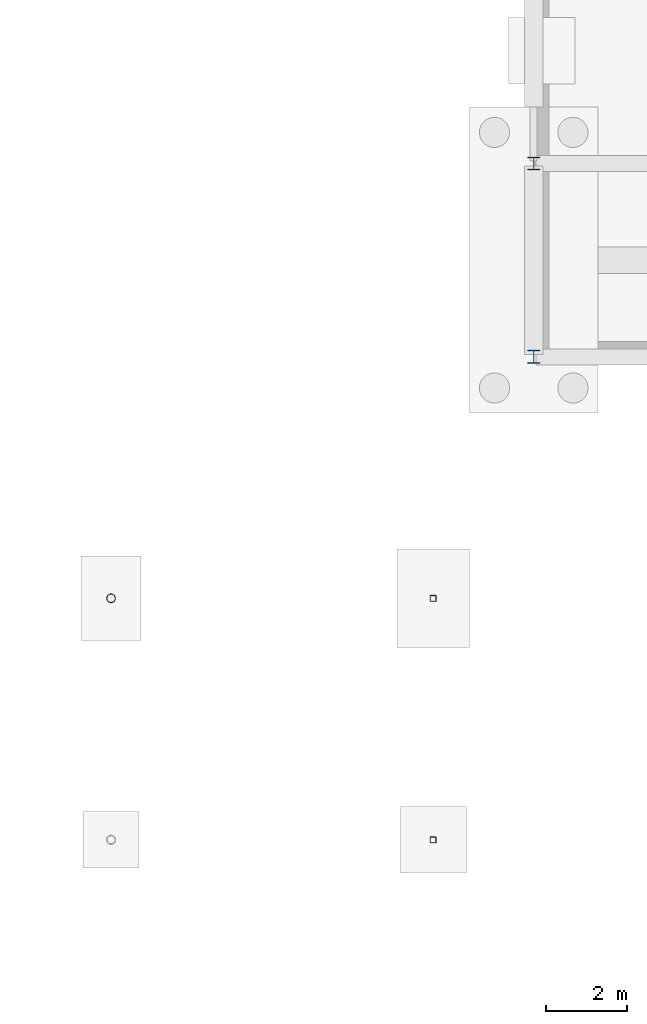
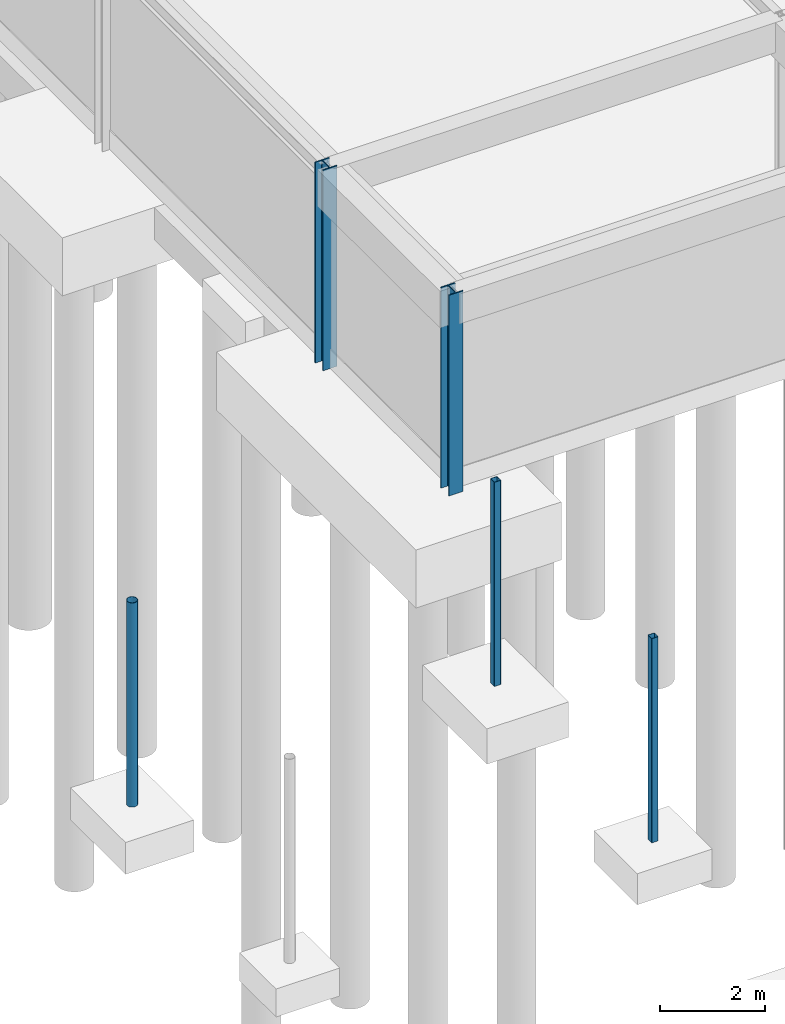
# One storey, part 28 of 75: 5 columns.
"""IFC4 building model written with IfcOpenShell, lengths in metres."""

from ifc_helpers import new_model, si_unit, derived_unit, direction, frame, origin, origin_2d_with_axis, place, context, subcontext, project, spatial, hollow_rectangle, hollow_circle, i_section, extrude, material, material_profile, profile_set, type_object, element, save


model = new_model("IFC4")

# Units and contexts
model_context = context("Model", 3, precision=1e-05, world=origin(), true_north=direction((0.0, 1.0)))
body_context = subcontext(model_context, "Body", "Model", "MODEL_VIEW")
ifc_project = project(units=[si_unit("LENGTHUNIT", "METRE"), si_unit("AREAUNIT", "SQUARE_METRE"), si_unit("VOLUMEUNIT", "CUBIC_METRE"), si_unit("PLANEANGLEUNIT", "RADIAN"), si_unit("MASSUNIT", "GRAM", prefix="KILO"), derived_unit("THERMALTRANSMITTANCEUNIT", [(si_unit("POWERUNIT", "WATT"), 1), (si_unit("LENGTHUNIT", "METRE"), -2), (si_unit("THERMODYNAMICTEMPERATUREUNIT", "KELVIN"), -1)])], contexts=[model_context])

# Site, building, storey
site_placement = place(None, origin())
site = spatial("IfcSite", under=ifc_project, at=site_placement, CompositionType="ELEMENT")
building_placement = place(site_placement, origin())
building = spatial("IfcBuilding", under=site, at=building_placement, Name="Cinnabar Yard Market Hall", CompositionType="ELEMENT")
storey_placement = place(building_placement, frame((0.0, 0.0, -4.5)))
storey = spatial("IfcBuildingStorey", under=building, at=storey_placement, Name="B1", CompositionType="ELEMENT", Elevation=-4.5)

# Columns
ifc_material_1 = material(Name="Spotted-gum glulam-clad steel Grade 350 (350 MPa)", Category="steel")
ifc_material_profile_1 = material_profile(ifc_material_1, hollow_circle(Radius=0.109619140625, WallThickness=0.00830078125, at=origin_2d_with_axis()), Name="219.1x8.2CHS")
ifc_profile_set_1 = profile_set([ifc_material_profile_1], Name="Spotted-gum glulam-clad steel Grade 350 (350 MPa)")
column_type_1 = type_object("IfcColumnType", Name="COL-C05", PredefinedType="COLUMN", material=ifc_profile_set_1)
column_1_placement = place(storey_placement, frame((55.5, 102.0, -0.449951171875), z_axis=(0.0, 0.0, 1.0), x_axis=(1.0, 0.0, 0.0)))
element("IfcColumn", 1, at=column_1_placement, inside=storey, type_object=column_type_1, Name="Passage Pier V5W-A5 B1", PredefinedType="COLUMN", context=body_context, shape_type="SweptSolid", body=[
    extrude(hollow_circle(Radius=0.109619140625, WallThickness=0.00830078125, at=origin_2d_with_axis()), origin(), (0.0, 0.0, 1.0), 4.75),
])
ifc_material_2 = material(Name="Steel Grade 350 (350 MPa)", Category="steel")
ifc_material_profile_2 = material_profile(ifc_material_2, i_section(OverallWidth=0.311279296875, OverallDepth=0.3271484375, WebThickness=0.015625, FlangeThickness=0.02490234375, FilletRadius=0.0166015625, at=origin_2d_with_axis()), Name="310UC158")
ifc_profile_set_2 = profile_set([ifc_material_profile_2], Name="Steel Grade 350 (350 MPa)")
column_type_2 = type_object("IfcColumnType", Name="COL-C06", PredefinedType="COLUMN", material=ifc_profile_set_2)
column_2_placement = place(storey_placement, frame((66.0, 108.0, -0.449951171875), z_axis=(0.0, 0.0, 1.0), x_axis=(1.0, 0.0, 0.0)))
element("IfcColumn", 2, at=column_2_placement, inside=storey, type_object=column_type_2, Name="Wing Column V3-01-01 B1", PredefinedType="COLUMN", context=body_context, shape_type="SweptSolid", body=[
    extrude(i_section(OverallWidth=0.311279296875, OverallDepth=0.3271484375, WebThickness=0.015625, FlangeThickness=0.02490234375, FilletRadius=0.0166015625, at=origin_2d_with_axis()), origin(), (0.0, 0.0, 1.0), 4.669921875),
])
ifc_material_profile_3 = material_profile(ifc_material_2, i_section(OverallWidth=0.30908203125, OverallDepth=0.320556640625, WebThickness=0.013916015625, FlangeThickness=0.021728515625, FilletRadius=0.0166015625, at=origin_2d_with_axis()), Name="310UC137")
ifc_profile_set_3 = profile_set([ifc_material_profile_3], Name="Steel Grade 350 (350 MPa)")
column_type_3 = type_object("IfcColumnType", Name="COL-C07", PredefinedType="COLUMN", material=ifc_profile_set_3)
column_3_placement = place(storey_placement, frame((66.0, 112.800048828125, -0.449951171875), z_axis=(0.0, 0.0, 1.0), x_axis=(1.0, 0.0, 0.0)))
element("IfcColumn", 3, at=column_3_placement, inside=storey, type_object=column_type_3, Name="Wing Column V3-01-02 B1", PredefinedType="COLUMN", context=body_context, shape_type="SweptSolid", body=[
    extrude(i_section(OverallWidth=0.30908203125, OverallDepth=0.320556640625, WebThickness=0.013916015625, FlangeThickness=0.021728515625, FilletRadius=0.0166015625, at=origin_2d_with_axis()), origin(), (0.0, 0.0, 1.0), 4.669921875),
])
ifc_material_3 = material(Name="Cold-formed steel C350L0", Category="steel")
ifc_material_profile_4 = material_profile(ifc_material_3, hollow_rectangle(XDim=0.14990234375, YDim=0.14990234375, WallThickness=0.006103515625, InnerFilletRadius=0.006103515625, OuterFilletRadius=0.011962890625, at=origin_2d_with_axis()), Name="150x150x6.0SHS")
ifc_profile_set_4 = profile_set([ifc_material_profile_4], Name="Cold-formed steel C350L0")
column_type_4 = type_object("IfcColumnType", Name="COL-C16", PredefinedType="COLUMN", material=ifc_profile_set_4)
for number, where, z_axis, x_axis, name in (
    (4, (63.5, 96.0, -0.449951171875), (0.0, 0.0, 1.0), (1.0, 0.0, 0.0), "Passage Pier V5W-B4 B1"),
    (5, (63.5, 102.0, -0.449951171875), (0.0, 0.0, 1.0), (1.0, 0.0, 0.0), "Passage Pier V5W-B5 B1"),
):
    element("IfcColumn", number, at=place(storey_placement, frame(where, z_axis=z_axis, x_axis=x_axis)), inside=storey, type_object=column_type_4, Name=name, PredefinedType="COLUMN", context=body_context, shape_type="SweptSolid", body=[
        extrude(hollow_rectangle(XDim=0.14990234375, YDim=0.14990234375, WallThickness=0.006103515625, InnerFilletRadius=0.006103515625, OuterFilletRadius=0.011962890625, at=origin_2d_with_axis()), origin(), (0.0, 0.0, 1.0), 4.75),
    ])

save(model, "model.ifc")
